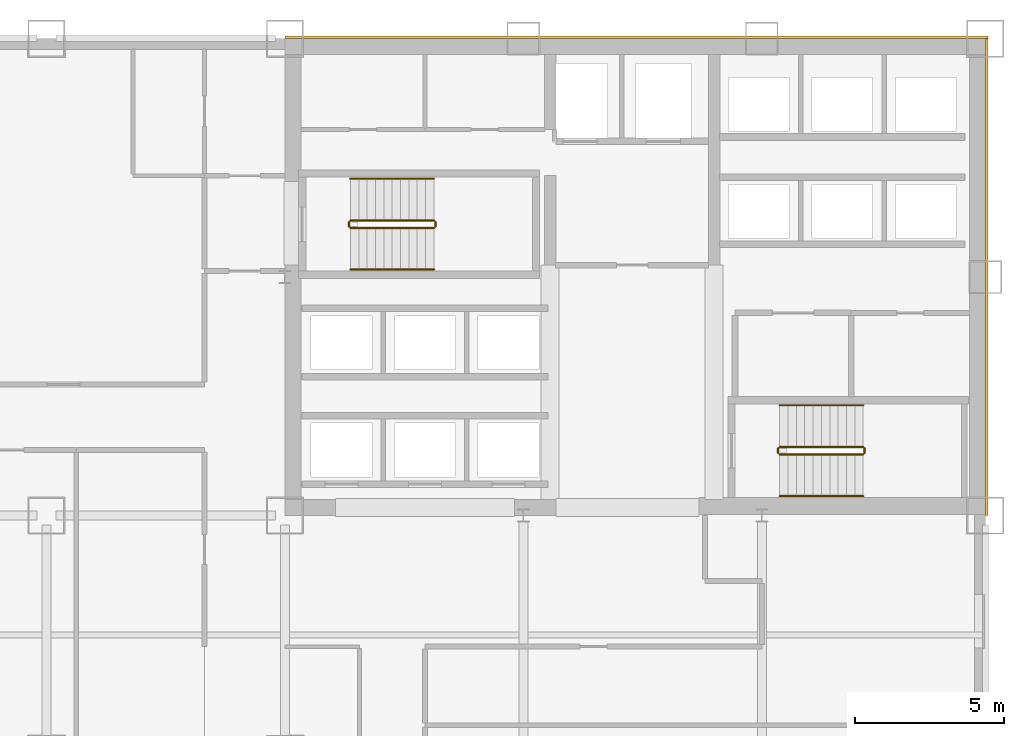
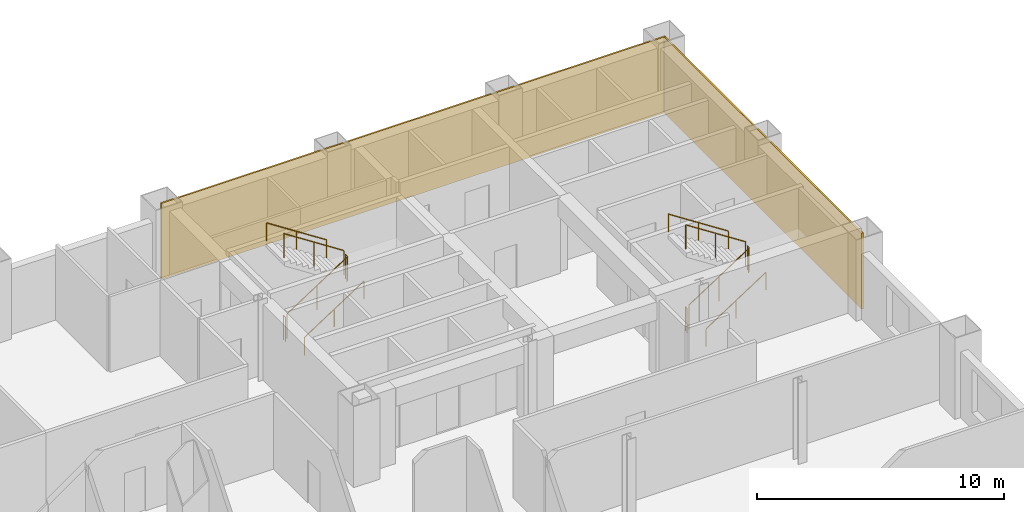
# One storey, part 9 of 9: 12 railings, 2 coverings.
"""IFC4 building model written with IfcOpenShell, lengths in metres."""

from ifc_helpers import new_model, si_unit, direction, frame, origin, origin_2d, place, context, subcontext, project, spatial, rectangle, circle, extrude, material, layer, layer_set, type_object, element, save


model = new_model("IFC4")

# Units and contexts
model_context = context("Model", 3, precision=1e-05, world=origin(), true_north=direction((0.0, 1.0)))
body_context = subcontext(model_context, "Body", "Model", "MODEL_VIEW")
ifc_project = project(units=[si_unit("LENGTHUNIT", "METRE"), si_unit("AREAUNIT", "SQUARE_METRE"), si_unit("VOLUMEUNIT", "CUBIC_METRE"), si_unit("PLANEANGLEUNIT", "RADIAN"), si_unit("MASSUNIT", "GRAM", prefix="KILO")], contexts=[model_context])

# Site, building, storey
site_placement = place(None, origin())
site = spatial("IfcSite", under=ifc_project, at=site_placement, CompositionType="ELEMENT")
building_placement = place(site_placement, origin())
building = spatial("IfcBuilding", under=site, at=building_placement, Name="Qianrong Seaharbour Tower", CompositionType="ELEMENT")
storey_placement = place(building_placement, frame((0.0, 0.0, 100.199951171875)))
storey = spatial("IfcBuildingStorey", under=building, at=storey_placement, Name="L24", CompositionType="ELEMENT", Elevation=100.199951171875)

# Coverings
ifc_material_1 = material(Name="Unitised red brick cladding on Precast concrete C45/55", Category="masonry")
ifc_layer = layer(ifc_material_1, 0.080078125)
ifc_layer_set = layer_set([ifc_layer], Name="Unitised red brick cladding on Precast concrete C45/55")
covering_type = type_object("IfcCoveringType", Name="COV-CLAD-RED-BRICK-80", PredefinedType="CLADDING", material=ifc_layer_set)
covering_1_placement = place(storey_placement, frame((52.2900390625, 52.0400390625, 0.0), z_axis=(0.0, 0.0, 1.0), x_axis=(1.0, 0.0, 0.0)))
element("IfcCovering", 1, at=covering_1_placement, inside=storey, type_object=covering_type, Name="L24 North Core Brick Veneer Cladding", PredefinedType="CLADDING", context=body_context, shape_type="SweptSolid", body=[
    extrude(rectangle(XDim=23.580078125, YDim=0.080078125, at=origin_2d()), origin(), (0.0, 0.0, 1.0), 3.75),
])
covering_2_placement = place(storey_placement, frame((64.0400390625, 44.0, 0.0), z_axis=(0.0, 0.0, 1.0), x_axis=(1.0, 0.0, 0.0)))
element("IfcCovering", 2, at=covering_2_placement, inside=storey, type_object=covering_type, Name="L24 East Core Brick Veneer Cladding", PredefinedType="CLADDING", context=body_context, shape_type="SweptSolid", body=[
    extrude(rectangle(XDim=0.080078125, YDim=16.0, at=origin_2d()), origin(), (0.0, 0.0, 1.0), 3.75),
])

# Railings
ifc_material_2 = material(Name="Galvanized painted steel SN400B stair guard", Category="steel")
railing_type_1 = type_object("IfcRailingType", Name="RAIL-STAIR-GUARD-1220", PredefinedType="GUARDRAIL", material=ifc_material_2)
railing_1_placement = place(storey_placement, frame((42.699951171875, 45.64990234375, 0.181884765625)))
element("IfcRailing", 3, at=railing_1_placement, inside=storey, type_object=railing_type_1, Name="L24 ST-1 stair guard 1", PredefinedType="GUARDRAIL", context=body_context, shape_type="SweptSolid", body=[
    extrude(circle(Radius=0.02392578125, at=origin_2d()), frame((0.0, 0.0, 1.19580078125), z_axis=(0.838705829183, 0.0, 0.544584733623), x_axis=(0.0, 1.0, 0.0)), (0.0, 0.0, 1.0), 3.338623046875),
    extrude(circle(Radius=0.02099609375, at=origin_2d()), origin(), (0.0, 0.0, 1.0), 1.171875),
    extrude(circle(Radius=0.02099609375, at=origin_2d()), frame((1.39990234375, 0.0, 0.9091796875)), (0.0, 0.0, 1.0), 1.171875),
    extrude(circle(Radius=0.02099609375, at=origin_2d()), frame((2.800048828125, 0.0, 1.818115234375)), (0.0, 0.0, 1.0), 1.171875),
])
railing_2_placement = place(storey_placement, frame((45.550048828125, 45.699951171875, 2.0)))
element("IfcRailing", 4, at=railing_2_placement, inside=storey, type_object=railing_type_1, Name="L24 ST-1 stair guard 2", PredefinedType="GUARDRAIL", context=body_context, shape_type="SweptSolid", body=[
    extrude(circle(Radius=0.02392578125, at=origin_2d()), frame((0.0, 0.0, 1.19580078125), z_axis=(0.0, 1.0, 0.0), x_axis=(-1.0, 0.0, 0.0)), (0.0, 0.0, 1.0), 0.150146484375),
    extrude(circle(Radius=0.02099609375, at=origin_2d()), origin(), (0.0, 0.0, 1.0), 1.171875),
    extrude(circle(Radius=0.02099609375, at=origin_2d()), frame((0.0, 0.150146484375, 0.0)), (0.0, 0.0, 1.0), 1.171875),
])
railing_3_placement = place(storey_placement, frame((45.5, 45.89990234375, 2.181884765625)))
element("IfcRailing", 5, at=railing_3_placement, inside=storey, type_object=railing_type_1, Name="L24 ST-1 stair guard 3", PredefinedType="GUARDRAIL", context=body_context, shape_type="SweptSolid", body=[
    extrude(circle(Radius=0.02392578125, at=origin_2d()), frame((0.0, 0.0, 1.19580078125), z_axis=(-0.838705829183, 0.0, 0.544584733623), x_axis=(0.0, -1.0, 0.0)), (0.0, 0.0, 1.0), 3.338623046875),
    extrude(circle(Radius=0.02099609375, at=origin_2d()), origin(), (0.0, 0.0, 1.0), 1.171875),
    extrude(circle(Radius=0.02099609375, at=origin_2d()), frame((-1.39990234375, 0.0, 0.9091796875)), (0.0, 0.0, 1.0), 1.171875),
    extrude(circle(Radius=0.02099609375, at=origin_2d()), frame((-2.800048828125, 0.0, 1.818115234375)), (0.0, 0.0, 1.0), 1.171875),
])
railing_4_placement = place(storey_placement, frame((42.64990234375, 45.699951171875, 0.0)))
element("IfcRailing", 6, at=railing_4_placement, inside=storey, type_object=railing_type_1, Name="L24 ST-1 stair guard 4", PredefinedType="GUARDRAIL", context=body_context, shape_type="SweptSolid", body=[
    extrude(circle(Radius=0.02392578125, at=origin_2d()), frame((0.0, 0.0, 1.19580078125), z_axis=(0.0, 1.0, 0.0), x_axis=(-1.0, 0.0, 0.0)), (0.0, 0.0, 1.0), 0.150146484375),
    extrude(circle(Radius=0.02099609375, at=origin_2d()), origin(), (0.0, 0.0, 1.0), 1.171875),
    extrude(circle(Radius=0.02099609375, at=origin_2d()), frame((0.0, 0.150146484375, 0.0)), (0.0, 0.0, 1.0), 1.171875),
])
railing_5_placement = place(storey_placement, frame((57.10009765625, 38.050048828125, 0.181884765625)))
element("IfcRailing", 7, at=railing_5_placement, inside=storey, type_object=railing_type_1, Name="L24 ST-2 stair guard 1", PredefinedType="GUARDRAIL", context=body_context, shape_type="SweptSolid", body=[
    extrude(circle(Radius=0.02392578125, at=origin_2d()), frame((0.0, 0.0, 1.19580078125), z_axis=(0.83868413941, 0.0, 0.544618136222), x_axis=(0.0, 1.0, 0.0)), (0.0, 0.0, 1.0), 3.33837890625),
    extrude(circle(Radius=0.02099609375, at=origin_2d()), origin(), (0.0, 0.0, 1.0), 1.171875),
    extrude(circle(Radius=0.02099609375, at=origin_2d()), frame((1.39990234375, 0.0, 0.9091796875)), (0.0, 0.0, 1.0), 1.171875),
    extrude(circle(Radius=0.02099609375, at=origin_2d()), frame((2.7998046875, 0.0, 1.818115234375)), (0.0, 0.0, 1.0), 1.171875),
])
railing_6_placement = place(storey_placement, frame((59.949951171875, 38.10009765625, 2.0)))
element("IfcRailing", 8, at=railing_6_placement, inside=storey, type_object=railing_type_1, Name="L24 ST-2 stair guard 2", PredefinedType="GUARDRAIL", context=body_context, shape_type="SweptSolid", body=[
    extrude(circle(Radius=0.02392578125, at=origin_2d()), frame((0.0, 0.0, 1.19580078125), z_axis=(0.0, 1.0, 0.0), x_axis=(-1.0, 0.0, 0.0)), (0.0, 0.0, 1.0), 0.14990234375),
    extrude(circle(Radius=0.02099609375, at=origin_2d()), origin(), (0.0, 0.0, 1.0), 1.171875),
    extrude(circle(Radius=0.02099609375, at=origin_2d()), frame((0.0, 0.14990234375, 0.0)), (0.0, 0.0, 1.0), 1.171875),
])
railing_7_placement = place(storey_placement, frame((59.89990234375, 38.300048828125, 2.181884765625)))
element("IfcRailing", 9, at=railing_7_placement, inside=storey, type_object=railing_type_1, Name="L24 ST-2 stair guard 3", PredefinedType="GUARDRAIL", context=body_context, shape_type="SweptSolid", body=[
    extrude(circle(Radius=0.02392578125, at=origin_2d()), frame((0.0, 0.0, 1.19580078125), z_axis=(-0.83868413941, 0.0, 0.544618136222), x_axis=(0.0, -1.0, 0.0)), (0.0, 0.0, 1.0), 3.33837890625),
    extrude(circle(Radius=0.02099609375, at=origin_2d()), origin(), (0.0, 0.0, 1.0), 1.171875),
    extrude(circle(Radius=0.02099609375, at=origin_2d()), frame((-1.39990234375, 0.0, 0.9091796875)), (0.0, 0.0, 1.0), 1.171875),
    extrude(circle(Radius=0.02099609375, at=origin_2d()), frame((-2.7998046875, 0.0, 1.818115234375)), (0.0, 0.0, 1.0), 1.171875),
])
railing_8_placement = place(storey_placement, frame((57.050048828125, 38.10009765625, 0.0)))
element("IfcRailing", 10, at=railing_8_placement, inside=storey, type_object=railing_type_1, Name="L24 ST-2 stair guard 4", PredefinedType="GUARDRAIL", context=body_context, shape_type="SweptSolid", body=[
    extrude(circle(Radius=0.02392578125, at=origin_2d()), frame((0.0, 0.0, 1.19580078125), z_axis=(0.0, 1.0, 0.0), x_axis=(-1.0, 0.0, 0.0)), (0.0, 0.0, 1.0), 0.14990234375),
    extrude(circle(Radius=0.02099609375, at=origin_2d()), origin(), (0.0, 0.0, 1.0), 1.171875),
    extrude(circle(Radius=0.02099609375, at=origin_2d()), frame((0.0, 0.14990234375, 0.0)), (0.0, 0.0, 1.0), 1.171875),
])
ifc_material_3 = material(Name="Stainless steel SUS316L continuous handrail", Category="steel")
railing_type_2 = type_object("IfcRailingType", Name="RAIL-STAIR-HANDRAIL-900", PredefinedType="HANDRAIL", material=ifc_material_3)
railing_9_placement = place(storey_placement, frame((42.699951171875, 44.25, 0.181884765625)))
element("IfcRailing", 11, at=railing_9_placement, inside=storey, type_object=railing_type_2, Name="L24 ST-1 stair handrail 1", PredefinedType="HANDRAIL", context=body_context, shape_type="SweptSolid", body=[
    extrude(circle(Radius=0.02392578125, at=origin_2d()), frame((0.0, 0.0, 0.8759765625), z_axis=(0.838705829183, 0.0, 0.544584733623), x_axis=(0.0, 1.0, 0.0)), (0.0, 0.0, 1.0), 3.338623046875),
    extrude(circle(Radius=0.02099609375, at=origin_2d()), origin(), (0.0, 0.0, 1.0), 0.851806640625),
    extrude(circle(Radius=0.02099609375, at=origin_2d()), frame((1.39990234375, 0.0, 0.9091796875)), (0.0, 0.0, 1.0), 0.851806640625),
    extrude(circle(Radius=0.02099609375, at=origin_2d()), frame((2.800048828125, 0.0, 1.818115234375)), (0.0, 0.0, 1.0), 0.851806640625),
])
railing_10_placement = place(storey_placement, frame((45.5, 47.300048828125, 2.181884765625)))
element("IfcRailing", 12, at=railing_10_placement, inside=storey, type_object=railing_type_2, Name="L24 ST-1 stair handrail 2", PredefinedType="HANDRAIL", context=body_context, shape_type="SweptSolid", body=[
    extrude(circle(Radius=0.02392578125, at=origin_2d()), frame((0.0, 0.0, 0.8759765625), z_axis=(-0.838705829183, 0.0, 0.544584733623), x_axis=(0.0, -1.0, 0.0)), (0.0, 0.0, 1.0), 3.338623046875),
    extrude(circle(Radius=0.02099609375, at=origin_2d()), origin(), (0.0, 0.0, 1.0), 0.851806640625),
    extrude(circle(Radius=0.02099609375, at=origin_2d()), frame((-1.39990234375, 0.0, 0.9091796875)), (0.0, 0.0, 1.0), 0.851806640625),
    extrude(circle(Radius=0.02099609375, at=origin_2d()), frame((-2.800048828125, 0.0, 1.818115234375)), (0.0, 0.0, 1.0), 0.851806640625),
])
railing_11_placement = place(storey_placement, frame((57.10009765625, 36.64990234375, 0.181884765625)))
element("IfcRailing", 13, at=railing_11_placement, inside=storey, type_object=railing_type_2, Name="L24 ST-2 stair handrail 1", PredefinedType="HANDRAIL", context=body_context, shape_type="SweptSolid", body=[
    extrude(circle(Radius=0.02392578125, at=origin_2d()), frame((0.0, 0.0, 0.8759765625), z_axis=(0.83868413941, 0.0, 0.544618136222), x_axis=(0.0, 1.0, 0.0)), (0.0, 0.0, 1.0), 3.33837890625),
    extrude(circle(Radius=0.02099609375, at=origin_2d()), origin(), (0.0, 0.0, 1.0), 0.851806640625),
    extrude(circle(Radius=0.02099609375, at=origin_2d()), frame((1.39990234375, 0.0, 0.9091796875)), (0.0, 0.0, 1.0), 0.851806640625),
    extrude(circle(Radius=0.02099609375, at=origin_2d()), frame((2.7998046875, 0.0, 1.818115234375)), (0.0, 0.0, 1.0), 0.851806640625),
])
railing_12_placement = place(storey_placement, frame((59.89990234375, 39.699951171875, 2.181884765625)))
element("IfcRailing", 14, at=railing_12_placement, inside=storey, type_object=railing_type_2, Name="L24 ST-2 stair handrail 2", PredefinedType="HANDRAIL", context=body_context, shape_type="SweptSolid", body=[
    extrude(circle(Radius=0.02392578125, at=origin_2d()), frame((0.0, 0.0, 0.8759765625), z_axis=(-0.83868413941, 0.0, 0.544618136222), x_axis=(0.0, -1.0, 0.0)), (0.0, 0.0, 1.0), 3.33837890625),
    extrude(circle(Radius=0.02099609375, at=origin_2d()), origin(), (0.0, 0.0, 1.0), 0.851806640625),
    extrude(circle(Radius=0.02099609375, at=origin_2d()), frame((-1.39990234375, 0.0, 0.9091796875)), (0.0, 0.0, 1.0), 0.851806640625),
    extrude(circle(Radius=0.02099609375, at=origin_2d()), frame((-2.7998046875, 0.0, 1.818115234375)), (0.0, 0.0, 1.0), 0.851806640625),
])

save(model, "model.ifc")
